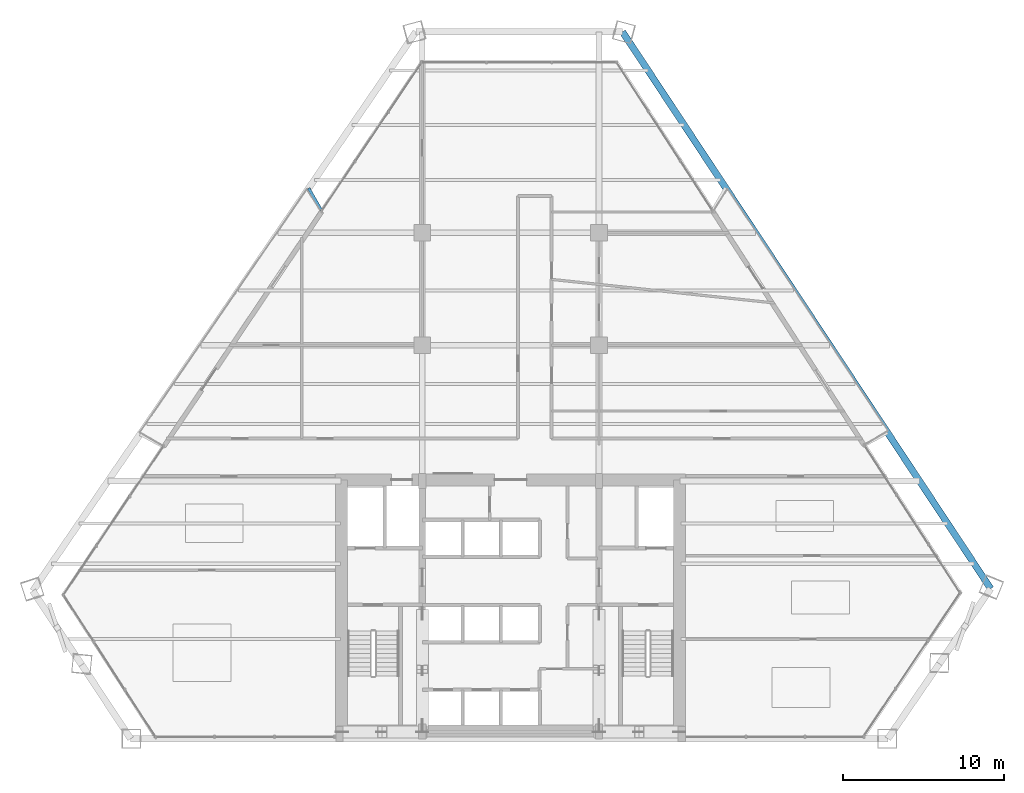
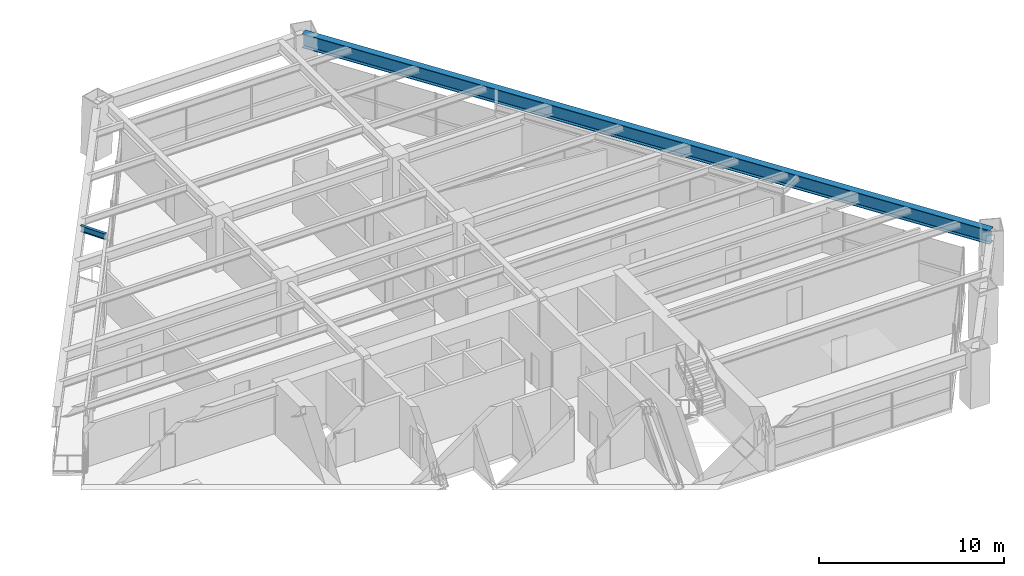
# One storey, part 7 of 14: 2 beams.
"""IFC4 building model written with IfcOpenShell, lengths in metres."""

from ifc_helpers import new_model, si_unit, direction, frame, origin, origin_2d, place, context, subcontext, project, spatial, i_section, extrude, source, transform, mapped, material, material_profile, profile_set, type_object, element, save


model = new_model("IFC4")

# Units and contexts
model_context = context("Model", 3, precision=1e-05, world=origin(), true_north=direction((0.0, 1.0)))
body_context = subcontext(model_context, "Body", "Model", "MODEL_VIEW")
ifc_project = project(units=[si_unit("LENGTHUNIT", "METRE"), si_unit("AREAUNIT", "SQUARE_METRE"), si_unit("VOLUMEUNIT", "CUBIC_METRE"), si_unit("PLANEANGLEUNIT", "RADIAN"), si_unit("MASSUNIT", "GRAM", prefix="KILO")], contexts=[model_context])

# Site, building, storey
site_placement = place(None, origin())
site = spatial("IfcSite", under=ifc_project, at=site_placement, CompositionType="ELEMENT")
building_placement = place(site_placement, origin())
building = spatial("IfcBuilding", under=site, at=building_placement, Name="Varnakhor Terracotta Tower", CompositionType="ELEMENT")
storey_placement = place(building_placement, frame((0.0, 0.0, 95.10009765625)))
storey = spatial("IfcBuildingStorey", under=building, at=storey_placement, Name="L23", CompositionType="ELEMENT", Elevation=95.10009765625)

# Beams
ifc_material = material(Name="Steel S355", Category="steel")
ifc_material_profile_1 = material_profile(ifc_material, i_section(OverallWidth=0.41796875, OverallDepth=0.927001953125, WebThickness=0.01904296875, FlangeThickness=0.031982421875, FilletRadius=0.01806640625, at=origin_2d()), Name="W36X231")
ifc_profile_set_1 = profile_set([ifc_material_profile_1], Name="Steel S355")
beam_type_1 = type_object("IfcBeamType", Name="BM-W36X231", PredefinedType="BEAM", material=ifc_profile_set_1)
shared_shape_1 = source(origin(), body_context, "Body", "SweptSolid", [
    extrude(i_section(OverallWidth=0.41796875, OverallDepth=0.927001953125, WebThickness=0.01904296875, FlangeThickness=0.031982421875, FilletRadius=0.01806640625, at=origin_2d()), origin(), (0.0, 0.0, 1.0), 41.563232421875),
])
beam_1_placement = place(storey_placement, frame((29.8857421875, 9.34375, 2.986328125), z_axis=(-0.551511996196, 0.834166960537, 0.0), x_axis=(-0.834166960537, -0.551511996196, 0.0)))
element("IfcBeam", 1, at=beam_1_placement, inside=storey, type_object=beam_type_1, Name="L23 Perimeter Spandrel 4", PredefinedType="BEAM", context=body_context, shape_type="MappedRepresentation", body=[
    mapped(shared_shape_1, transform((0.0, 0.0, 0.0), scale=1.0)),
])
ifc_material_profile_2 = material_profile(ifc_material, i_section(OverallWidth=0.179931640625, OverallDepth=0.39990234375, WebThickness=0.008544921875, FlangeThickness=0.013427734375, FilletRadius=0.01806640625, at=origin_2d()), Name="IPE400")
ifc_profile_set_2 = profile_set([ifc_material_profile_2], Name="Steel S355")
beam_type_2 = type_object("IfcBeamType", Name="JST-IPE400", PredefinedType="JOIST", material=ifc_profile_set_2)
shared_shape_2 = source(origin(), body_context, "Body", "SweptSolid", [
    extrude(i_section(OverallWidth=0.179931640625, OverallDepth=0.39990234375, WebThickness=0.008544921875, FlangeThickness=0.013427734375, FilletRadius=0.01806640625, at=origin_2d()), origin(), (0.0, 0.0, 1.0), 1.58740234375),
])
beam_2_placement = place(storey_placement, frame((-11.78369140625, 32.894287109375, 3.25), z_axis=(-0.499216434361, 0.866477323225, 0.0), x_axis=(-0.866477323225, -0.499216434361, 0.0)))
element("IfcBeam", 2, at=beam_2_placement, inside=storey, type_object=beam_type_2, Name="L24 W Loggia Tie Beam 2", PredefinedType="JOIST", context=body_context, shape_type="MappedRepresentation", body=[
    mapped(shared_shape_2, transform((0.0, 0.0, 0.0), scale=1.0)),
])

save(model, "model.ifc")
